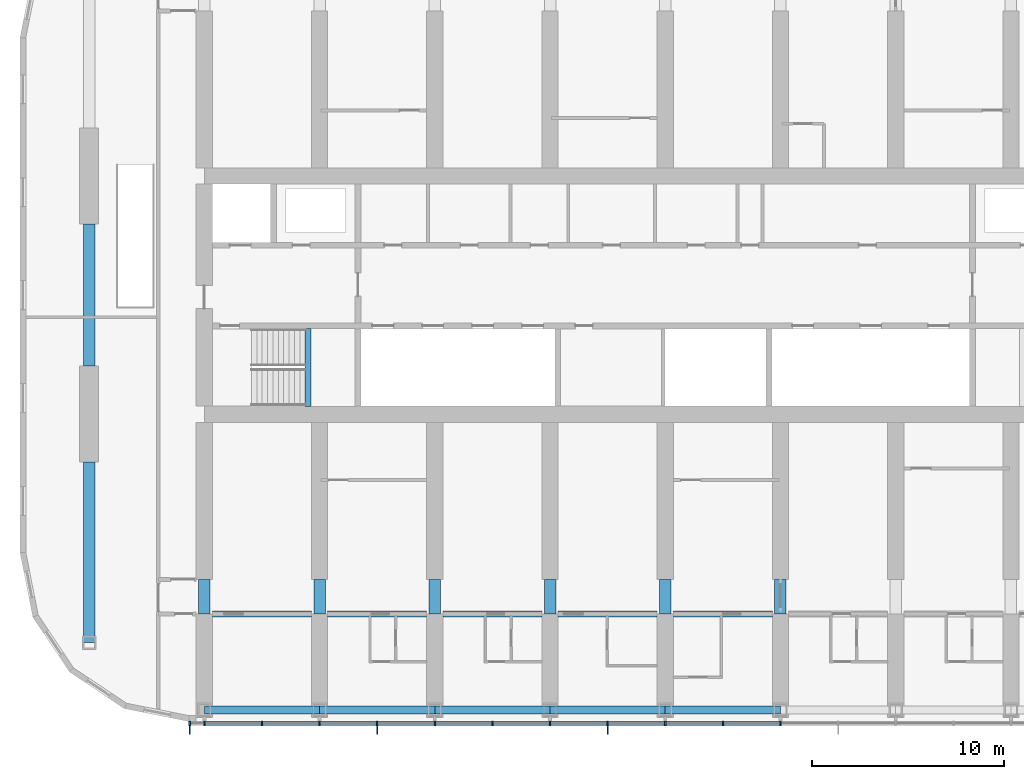
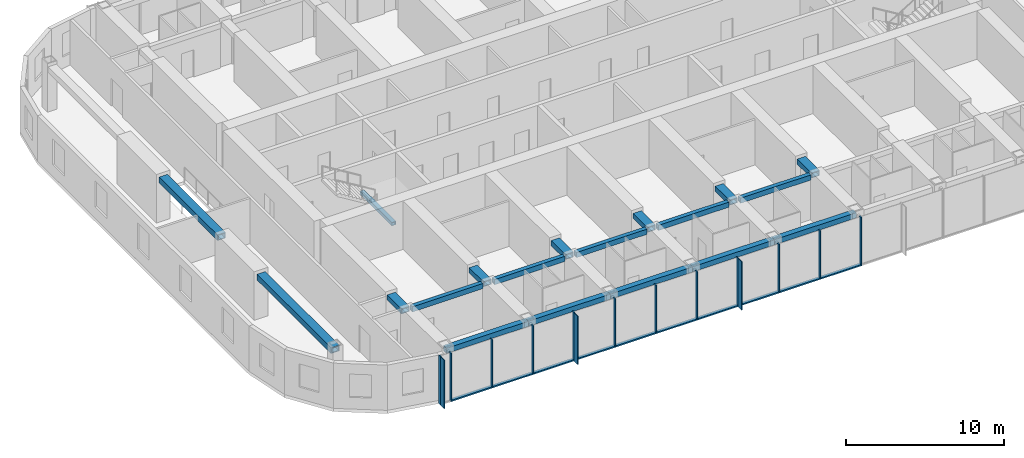
# One storey, part 2 of 22: 25 members, 19 beams, 1 element without a shape of its own.
"""IFC4 building model written with IfcOpenShell, lengths in metres."""

from ifc_helpers import new_model, si_unit, direction, frame, origin, origin_2d, place, context, subcontext, project, spatial, rectangle, hollow_rectangle, extrude, material, material_profile, profile_set, type_object, element, aggregate, save


model = new_model("IFC4")

# Units and contexts
model_context = context("Model", 3, precision=1e-05, world=origin(), true_north=direction((0.0, 1.0)))
body_context = subcontext(model_context, "Body", "Model", "MODEL_VIEW")
ifc_project = project(units=[si_unit("LENGTHUNIT", "METRE"), si_unit("AREAUNIT", "SQUARE_METRE"), si_unit("VOLUMEUNIT", "CUBIC_METRE"), si_unit("PLANEANGLEUNIT", "RADIAN"), si_unit("MASSUNIT", "GRAM", prefix="KILO")], contexts=[model_context])

# Site, building, storey
site_placement = place(None, origin())
site = spatial("IfcSite", under=ifc_project, at=site_placement, CompositionType="ELEMENT")
building_placement = place(site_placement, origin())
building = spatial("IfcBuilding", under=site, at=building_placement, Name="Orbita Commons", CompositionType="ELEMENT")
storey_placement = place(building_placement, frame((0.0, 0.0, 182.35009765625)))
storey = spatial("IfcBuildingStorey", under=building, at=storey_placement, Name="L45", CompositionType="ELEMENT", Elevation=182.35009765625)

# Curtain wall, members
ifc_material_1 = material(Name="Anodised aluminium frame, pale silver", Category="aluminium")
curtain_wall_type = type_object("IfcCurtainWallType", Name="Unitised curtain wall CW-U, full-height vision", PredefinedType="NOTDEFINED", material=ifc_material_1)
curtain_wall_placement = place(storey_placement, origin())
curtain_wall = element("IfcCurtainWall", 1, at=curtain_wall_placement, inside=storey, type_object=curtain_wall_type, Name="Curtain wall south L45", PredefinedType="NOTDEFINED")
ifc_material_2 = material(Name="Anodised aluminium, pale silver", Category="aluminium")
ifc_material_profile_1 = material_profile(ifc_material_2, rectangle(XDim=0.080078125, YDim=0.219970703125, at=origin_2d()), Name="AL 80x220")
ifc_profile_set_1 = profile_set([ifc_material_profile_1], Name="Anodised aluminium, pale silver")
member_type_1 = type_object("IfcMemberType", Name="Curtain wall mullion 80x220", PredefinedType="MULLION", material=ifc_profile_set_1)
member_1_placement = place(storey_placement, frame((17.239990234375, 9.68994140625, -0.25), z_axis=(0.0, 0.0, 1.0), x_axis=(1.0, 0.0, 0.0)))
member_1 = element("IfcMember", 2, at=member_1_placement, type_object=member_type_1, Name="Mullion 1 CW-L45-S", PredefinedType="MULLION", context=body_context, shape_type="SweptSolid", body=[
    extrude(rectangle(XDim=0.080078125, YDim=0.219970703125, at=origin_2d()), origin(), (0.0, 0.0, 1.0), 3.75),
])
member_2_placement = place(storey_placement, frame((18.0, 9.68994140625, -0.25), z_axis=(0.0, 0.0, 1.0), x_axis=(1.0, 0.0, 0.0)))
member_2 = element("IfcMember", 3, at=member_2_placement, type_object=member_type_1, Name="Mullion 2 CW-L45-S", PredefinedType="MULLION", context=body_context, shape_type="SweptSolid", body=[
    extrude(rectangle(XDim=0.080078125, YDim=0.219970703125, at=origin_2d()), origin(), (0.0, 0.0, 1.0), 3.75),
])
member_3_placement = place(storey_placement, frame((21.0, 9.68994140625, -0.25), z_axis=(0.0, 0.0, 1.0), x_axis=(1.0, 0.0, 0.0)))
member_3 = element("IfcMember", 4, at=member_3_placement, type_object=member_type_1, Name="Mullion 3 CW-L45-S", PredefinedType="MULLION", context=body_context, shape_type="SweptSolid", body=[
    extrude(rectangle(XDim=0.080078125, YDim=0.219970703125, at=origin_2d()), origin(), (0.0, 0.0, 1.0), 3.75),
])
member_4_placement = place(storey_placement, frame((24.0, 9.68994140625, -0.25), z_axis=(0.0, 0.0, 1.0), x_axis=(1.0, 0.0, 0.0)))
member_4 = element("IfcMember", 5, at=member_4_placement, type_object=member_type_1, Name="Mullion 4 CW-L45-S", PredefinedType="MULLION", context=body_context, shape_type="SweptSolid", body=[
    extrude(rectangle(XDim=0.080078125, YDim=0.219970703125, at=origin_2d()), origin(), (0.0, 0.0, 1.0), 3.75),
])
member_5_placement = place(storey_placement, frame((27.0, 9.68994140625, -0.25), z_axis=(0.0, 0.0, 1.0), x_axis=(1.0, 0.0, 0.0)))
member_5 = element("IfcMember", 6, at=member_5_placement, type_object=member_type_1, Name="Mullion 5 CW-L45-S", PredefinedType="MULLION", context=body_context, shape_type="SweptSolid", body=[
    extrude(rectangle(XDim=0.080078125, YDim=0.219970703125, at=origin_2d()), origin(), (0.0, 0.0, 1.0), 3.75),
])
member_6_placement = place(storey_placement, frame((30.0, 9.68994140625, -0.25), z_axis=(0.0, 0.0, 1.0), x_axis=(1.0, 0.0, 0.0)))
member_6 = element("IfcMember", 7, at=member_6_placement, type_object=member_type_1, Name="Mullion 6 CW-L45-S", PredefinedType="MULLION", context=body_context, shape_type="SweptSolid", body=[
    extrude(rectangle(XDim=0.080078125, YDim=0.219970703125, at=origin_2d()), origin(), (0.0, 0.0, 1.0), 3.75),
])
member_7_placement = place(storey_placement, frame((33.0, 9.68994140625, -0.25), z_axis=(0.0, 0.0, 1.0), x_axis=(1.0, 0.0, 0.0)))
member_7 = element("IfcMember", 8, at=member_7_placement, type_object=member_type_1, Name="Mullion 7 CW-L45-S", PredefinedType="MULLION", context=body_context, shape_type="SweptSolid", body=[
    extrude(rectangle(XDim=0.080078125, YDim=0.219970703125, at=origin_2d()), origin(), (0.0, 0.0, 1.0), 3.75),
])
member_8_placement = place(storey_placement, frame((36.0, 9.68994140625, -0.25), z_axis=(0.0, 0.0, 1.0), x_axis=(1.0, 0.0, 0.0)))
member_8 = element("IfcMember", 9, at=member_8_placement, type_object=member_type_1, Name="Mullion 8 CW-L45-S", PredefinedType="MULLION", context=body_context, shape_type="SweptSolid", body=[
    extrude(rectangle(XDim=0.080078125, YDim=0.219970703125, at=origin_2d()), origin(), (0.0, 0.0, 1.0), 3.75),
])
member_9_placement = place(storey_placement, frame((39.0, 9.68994140625, -0.25), z_axis=(0.0, 0.0, 1.0), x_axis=(1.0, 0.0, 0.0)))
member_9 = element("IfcMember", 10, at=member_9_placement, type_object=member_type_1, Name="Mullion 9 CW-L45-S", PredefinedType="MULLION", context=body_context, shape_type="SweptSolid", body=[
    extrude(rectangle(XDim=0.080078125, YDim=0.219970703125, at=origin_2d()), origin(), (0.0, 0.0, 1.0), 3.75),
])
member_10_placement = place(storey_placement, frame((42.0, 9.68994140625, -0.25), z_axis=(0.0, 0.0, 1.0), x_axis=(1.0, 0.0, 0.0)))
member_10 = element("IfcMember", 11, at=member_10_placement, type_object=member_type_1, Name="Mullion 10 CW-L45-S", PredefinedType="MULLION", context=body_context, shape_type="SweptSolid", body=[
    extrude(rectangle(XDim=0.080078125, YDim=0.219970703125, at=origin_2d()), origin(), (0.0, 0.0, 1.0), 3.75),
])
member_11_placement = place(storey_placement, frame((45.0, 9.68994140625, -0.25), z_axis=(0.0, 0.0, 1.0), x_axis=(1.0, 0.0, 0.0)))
member_11 = element("IfcMember", 12, at=member_11_placement, type_object=member_type_1, Name="Mullion 11 CW-L45-S", PredefinedType="MULLION", context=body_context, shape_type="SweptSolid", body=[
    extrude(rectangle(XDim=0.080078125, YDim=0.219970703125, at=origin_2d()), origin(), (0.0, 0.0, 1.0), 3.75),
])
member_12_placement = place(storey_placement, frame((48.0, 9.68994140625, -0.25), z_axis=(0.0, 0.0, 1.0), x_axis=(1.0, 0.0, 0.0)))
member_12 = element("IfcMember", 13, at=member_12_placement, type_object=member_type_1, Name="Mullion 12 CW-L45-S", PredefinedType="MULLION", context=body_context, shape_type="SweptSolid", body=[
    extrude(rectangle(XDim=0.080078125, YDim=0.219970703125, at=origin_2d()), origin(), (0.0, 0.0, 1.0), 3.75),
])
ifc_material_3 = material(Name="Anodised aluminium, pale silver", Category="aluminium")
ifc_material_profile_2 = material_profile(ifc_material_3, rectangle(XDim=0.219970703125, YDim=0.10009765625, at=origin_2d()), Name="AL 220x100")
ifc_profile_set_2 = profile_set([ifc_material_profile_2], Name="Anodised aluminium, pale silver")
member_type_2 = type_object("IfcMemberType", Name="Curtain wall stack transom 220x100", PredefinedType="USERDEFINED", material=ifc_profile_set_2)
member_13_placement = place(storey_placement, frame((18.0400390625, 9.68994140625, -0.2001953125), z_axis=(1.0, 0.0, 0.0), x_axis=(0.0, 1.0, 0.0)))
member_13 = element("IfcMember", 14, at=member_13_placement, type_object=member_type_2, Name="Transom 2.1 CW-L45-S", ObjectType="TRANSOM", PredefinedType="USERDEFINED", context=body_context, shape_type="SweptSolid", body=[
    extrude(rectangle(XDim=0.219970703125, YDim=0.10009765625, at=origin_2d()), origin(), (0.0, 0.0, 1.0), 2.919921875),
])
member_14_placement = place(storey_placement, frame((21.0400390625, 9.68994140625, -0.2001953125), z_axis=(1.0, 0.0, 0.0), x_axis=(0.0, 1.0, 0.0)))
member_14 = element("IfcMember", 15, at=member_14_placement, type_object=member_type_2, Name="Transom 3.1 CW-L45-S", ObjectType="TRANSOM", PredefinedType="USERDEFINED", context=body_context, shape_type="SweptSolid", body=[
    extrude(rectangle(XDim=0.219970703125, YDim=0.10009765625, at=origin_2d()), origin(), (0.0, 0.0, 1.0), 2.919921875),
])
member_15_placement = place(storey_placement, frame((24.0400390625, 9.68994140625, -0.2001953125), z_axis=(1.0, 0.0, 0.0), x_axis=(0.0, 1.0, 0.0)))
member_15 = element("IfcMember", 16, at=member_15_placement, type_object=member_type_2, Name="Transom 4.1 CW-L45-S", ObjectType="TRANSOM", PredefinedType="USERDEFINED", context=body_context, shape_type="SweptSolid", body=[
    extrude(rectangle(XDim=0.219970703125, YDim=0.10009765625, at=origin_2d()), origin(), (0.0, 0.0, 1.0), 2.919921875),
])
member_16_placement = place(storey_placement, frame((27.0400390625, 9.68994140625, -0.2001953125), z_axis=(1.0, 0.0, 0.0), x_axis=(0.0, 1.0, 0.0)))
member_16 = element("IfcMember", 17, at=member_16_placement, type_object=member_type_2, Name="Transom 5.1 CW-L45-S", ObjectType="TRANSOM", PredefinedType="USERDEFINED", context=body_context, shape_type="SweptSolid", body=[
    extrude(rectangle(XDim=0.219970703125, YDim=0.10009765625, at=origin_2d()), origin(), (0.0, 0.0, 1.0), 2.919921875),
])
member_17_placement = place(storey_placement, frame((30.0400390625, 9.68994140625, -0.2001953125), z_axis=(1.0, 0.0, 0.0), x_axis=(0.0, 1.0, 0.0)))
member_17 = element("IfcMember", 18, at=member_17_placement, type_object=member_type_2, Name="Transom 6.1 CW-L45-S", ObjectType="TRANSOM", PredefinedType="USERDEFINED", context=body_context, shape_type="SweptSolid", body=[
    extrude(rectangle(XDim=0.219970703125, YDim=0.10009765625, at=origin_2d()), origin(), (0.0, 0.0, 1.0), 2.919921875),
])
member_18_placement = place(storey_placement, frame((33.0400390625, 9.68994140625, -0.2001953125), z_axis=(1.0, 0.0, 0.0), x_axis=(0.0, 1.0, 0.0)))
member_18 = element("IfcMember", 19, at=member_18_placement, type_object=member_type_2, Name="Transom 7.1 CW-L45-S", ObjectType="TRANSOM", PredefinedType="USERDEFINED", context=body_context, shape_type="SweptSolid", body=[
    extrude(rectangle(XDim=0.219970703125, YDim=0.10009765625, at=origin_2d()), origin(), (0.0, 0.0, 1.0), 2.919921875),
])
member_19_placement = place(storey_placement, frame((36.0400390625, 9.68994140625, -0.2001953125), z_axis=(1.0, 0.0, 0.0), x_axis=(0.0, 1.0, 0.0)))
member_19 = element("IfcMember", 20, at=member_19_placement, type_object=member_type_2, Name="Transom 8.1 CW-L45-S", ObjectType="TRANSOM", PredefinedType="USERDEFINED", context=body_context, shape_type="SweptSolid", body=[
    extrude(rectangle(XDim=0.219970703125, YDim=0.10009765625, at=origin_2d()), origin(), (0.0, 0.0, 1.0), 2.919921875),
])
member_20_placement = place(storey_placement, frame((39.0400390625, 9.68994140625, -0.2001953125), z_axis=(1.0, 0.0, 0.0), x_axis=(0.0, 1.0, 0.0)))
member_20 = element("IfcMember", 21, at=member_20_placement, type_object=member_type_2, Name="Transom 9.1 CW-L45-S", ObjectType="TRANSOM", PredefinedType="USERDEFINED", context=body_context, shape_type="SweptSolid", body=[
    extrude(rectangle(XDim=0.219970703125, YDim=0.10009765625, at=origin_2d()), origin(), (0.0, 0.0, 1.0), 2.919921875),
])
member_21_placement = place(storey_placement, frame((42.0400390625, 9.68994140625, -0.2001953125), z_axis=(1.0, 0.0, 0.0), x_axis=(0.0, 1.0, 0.0)))
member_21 = element("IfcMember", 22, at=member_21_placement, type_object=member_type_2, Name="Transom 10.1 CW-L45-S", ObjectType="TRANSOM", PredefinedType="USERDEFINED", context=body_context, shape_type="SweptSolid", body=[
    extrude(rectangle(XDim=0.219970703125, YDim=0.10009765625, at=origin_2d()), origin(), (0.0, 0.0, 1.0), 2.919921875),
])
member_22_placement = place(storey_placement, frame((45.0400390625, 9.68994140625, -0.2001953125), z_axis=(1.0, 0.0, 0.0), x_axis=(0.0, 1.0, 0.0)))
member_22 = element("IfcMember", 23, at=member_22_placement, type_object=member_type_2, Name="Transom 11.1 CW-L45-S", ObjectType="TRANSOM", PredefinedType="USERDEFINED", context=body_context, shape_type="SweptSolid", body=[
    extrude(rectangle(XDim=0.219970703125, YDim=0.10009765625, at=origin_2d()), origin(), (0.0, 0.0, 1.0), 2.919921875),
])

# Beams
ifc_material_4 = material(Name="Steel ASTM A572 Gr 50 welded plate", Category="steel")
ifc_material_profile_3 = material_profile(ifc_material_4, hollow_rectangle(XDim=0.300048828125, YDim=0.25, WallThickness=0.02490234375, at=origin_2d()), Name="BOX 250x300x25")
ifc_profile_set_3 = profile_set([ifc_material_profile_3], Name="Steel ASTM A572 Gr 50 welded plate")
beam_type_1 = type_object("IfcBeamType", Name="Stair landing beam steel BOX 250x300x25", PredefinedType="BEAM", material=ifc_profile_set_3)
beam_1_placement = place(storey_placement, frame((23.39990234375, 26.2099609375, 1.5498046875), z_axis=(0.0, 1.0, 0.0), x_axis=(-1.0, 0.0, 0.0)))
element("IfcBeam", 24, at=beam_1_placement, inside=storey, type_object=beam_type_1, Name="Stair S1 landing beam L45 1", PredefinedType="BEAM", context=body_context, shape_type="SweptSolid", body=[
    extrude(hollow_rectangle(XDim=0.300048828125, YDim=0.25, WallThickness=0.02490234375, at=origin_2d()), origin(), (0.0, 0.0, 1.0), 4.054931640625),
])
ifc_material_5 = material(Name="Steel ASTM A572 Gr 50 welded plate", Category="steel")
ifc_material_profile_4 = material_profile(ifc_material_5, hollow_rectangle(XDim=0.300048828125, YDim=0.39990234375, WallThickness=0.0400390625, at=origin_2d()), Name="BOX 400x300x40")
ifc_profile_set_4 = profile_set([ifc_material_profile_4], Name="Steel ASTM A572 Gr 50 welded plate")
beam_type_2 = type_object("IfcBeamType", Name="Steel corridor link BOX 400x300x40", PredefinedType="BEAM", material=ifc_profile_set_4)
for number, where, z_axis, x_axis, name in (
    (25, (18.425048828125, 15.39990234375, 3.2998046875), (1.0, 0.0, 0.0), (0.0, 1.0, 0.0), "Corridor beam SA 4-5 L45"),
    (26, (24.425048828125, 15.39990234375, 3.2998046875), (1.0, 0.0, 0.0), (0.0, 1.0, 0.0), "Corridor beam SA 5-6 L45"),
    (27, (30.425048828125, 15.39990234375, 3.2998046875), (1.0, 0.0, 0.0), (0.0, 1.0, 0.0), "Corridor beam SA 6-7 L45"),
    (28, (36.425048828125, 15.39990234375, 3.2998046875), (1.0, 0.0, 0.0), (0.0, 1.0, 0.0), "Corridor beam SA 7-8 L45"),
    (29, (42.425048828125, 15.39990234375, 3.2998046875), (1.0, 0.0, 0.0), (0.0, 1.0, 0.0), "Corridor beam SA 8-9 L45"),
):
    element("IfcBeam", number, at=place(storey_placement, frame(where, z_axis=z_axis, x_axis=x_axis)), inside=storey, type_object=beam_type_2, Name=name, PredefinedType="BEAM", context=body_context, shape_type="SweptSolid", body=[
        extrude(hollow_rectangle(XDim=0.300048828125, YDim=0.39990234375, WallThickness=0.0400390625, at=origin_2d()), origin(), (0.0, 0.0, 1.0), 5.14990234375),
    ])
ifc_material_6 = material(Name="Steel ASTM A572 Gr 50 welded plate", Category="steel")
ifc_material_profile_5 = material_profile(ifc_material_6, hollow_rectangle(XDim=0.60009765625, YDim=0.39990234375, WallThickness=0.050048828125, at=origin_2d()), Name="BOX 400x600x50")
ifc_profile_set_5 = profile_set([ifc_material_profile_5], Name="Steel ASTM A572 Gr 50 welded plate")
beam_type_3 = type_object("IfcBeamType", Name="Steel coupling link BOX 400x600x50", PredefinedType="LINTEL", material=ifc_profile_set_5)
for number, where, z_axis, x_axis, name in (
    (30, (18.0, 15.39990234375, 3.2998046875), (0.0, 1.0, 0.0), (-1.0, 0.0, 0.0), "Coupling beam 4 south L45"),
    (31, (24.0, 15.39990234375, 3.2998046875), (0.0, 1.0, 0.0), (-1.0, 0.0, 0.0), "Coupling beam 5 south L45"),
    (32, (30.0, 15.39990234375, 3.2998046875), (0.0, 1.0, 0.0), (-1.0, 0.0, 0.0), "Coupling beam 6 south L45"),
    (33, (36.0, 15.39990234375, 3.2998046875), (0.0, 1.0, 0.0), (-1.0, 0.0, 0.0), "Coupling beam 7 south L45"),
    (34, (42.0, 15.39990234375, 3.2998046875), (0.0, 1.0, 0.0), (-1.0, 0.0, 0.0), "Coupling beam 8 south L45"),
    (35, (48.0, 15.39990234375, 3.2998046875), (0.0, 1.0, 0.0), (-1.0, 0.0, 0.0), "Coupling beam 9 south L45"),
):
    element("IfcBeam", number, at=place(storey_placement, frame(where, z_axis=z_axis, x_axis=x_axis)), inside=storey, type_object=beam_type_3, Name=name, PredefinedType="LINTEL", context=body_context, shape_type="SweptSolid", body=[
        extrude(hollow_rectangle(XDim=0.60009765625, YDim=0.39990234375, WallThickness=0.050048828125, at=origin_2d()), origin(), (0.0, 0.0, 1.0), 1.800048828125),
    ])
ifc_material_7 = material(Name="Steel ASTM A572 Gr 50 welded plate", Category="steel")
ifc_material_profile_6 = material_profile(ifc_material_7, hollow_rectangle(XDim=0.60009765625, YDim=0.449951171875, WallThickness=0.06005859375, at=origin_2d()), Name="BOX 450x600x60")
ifc_profile_set_6 = profile_set([ifc_material_profile_6], Name="Steel ASTM A572 Gr 50 welded plate")
beam_type_4 = type_object("IfcBeamType", Name="Steel end frame link BOX 450x600x60", PredefinedType="BEAM", material=ifc_profile_set_6)
beam_2_placement = place(storey_placement, frame((12.0, 13.89990234375, 3.27490234375), z_axis=(0.0, 1.0, 0.0), x_axis=(-1.0, 0.0, 0.0)))
element("IfcBeam", 36, at=beam_2_placement, inside=storey, type_object=beam_type_4, Name="End frame beam 3 B-C L45", PredefinedType="BEAM", context=body_context, shape_type="SweptSolid", body=[
    extrude(hollow_rectangle(XDim=0.60009765625, YDim=0.449951171875, WallThickness=0.06005859375, at=origin_2d()), origin(), (0.0, 0.0, 1.0), 9.400146484375),
])
beam_3_placement = place(storey_placement, frame((12.0, 28.300048828125, 3.27490234375), z_axis=(0.0, 1.0, 0.0), x_axis=(-1.0, 0.0, 0.0)))
element("IfcBeam", 37, at=beam_3_placement, inside=storey, type_object=beam_type_4, Name="End frame beam 3 C-D L45", PredefinedType="BEAM", context=body_context, shape_type="SweptSolid", body=[
    extrude(hollow_rectangle(XDim=0.60009765625, YDim=0.449951171875, WallThickness=0.06005859375, at=origin_2d()), origin(), (0.0, 0.0, 1.0), 7.39990234375),
])
ifc_material_8 = material(Name="Steel ASTM A572 Gr 50 welded plate", Category="steel")
ifc_material_profile_7 = material_profile(ifc_material_8, hollow_rectangle(XDim=0.39990234375, YDim=0.39990234375, WallThickness=0.0400390625, at=origin_2d()), Name="BOX 400x400x40")
ifc_profile_set_7 = profile_set([ifc_material_profile_7], Name="Steel ASTM A572 Gr 50 welded plate")
beam_type_5 = type_object("IfcBeamType", Name="Steel spandrel BOX 400x400x40", PredefinedType="SPANDREL", material=ifc_profile_set_7)
for number, where, z_axis, x_axis, name in (
    (38, (18.0, 10.39990234375, 3.2998046875), (1.0, 0.0, 0.0), (0.0, 1.0, 0.0), "Spandrel beam B 4-5 L45"),
    (39, (24.0, 10.39990234375, 3.2998046875), (1.0, 0.0, 0.0), (0.0, 1.0, 0.0), "Spandrel beam B 5-6 L45"),
    (40, (30.0, 10.39990234375, 3.2998046875), (1.0, 0.0, 0.0), (0.0, 1.0, 0.0), "Spandrel beam B 6-7 L45"),
    (41, (36.0, 10.39990234375, 3.2998046875), (1.0, 0.0, 0.0), (0.0, 1.0, 0.0), "Spandrel beam B 7-8 L45"),
    (42, (42.0, 10.39990234375, 3.2998046875), (1.0, 0.0, 0.0), (0.0, 1.0, 0.0), "Spandrel beam B 8-9 L45"),
):
    element("IfcBeam", number, at=place(storey_placement, frame(where, z_axis=z_axis, x_axis=x_axis)), inside=storey, type_object=beam_type_5, Name=name, PredefinedType="SPANDREL", context=body_context, shape_type="SweptSolid", body=[
        extrude(hollow_rectangle(XDim=0.39990234375, YDim=0.39990234375, WallThickness=0.0400390625, at=origin_2d()), origin(), (0.0, 0.0, 1.0), 6.0),
    ])

# Member
ifc_material_9 = material(Name="Anodised aluminium, pale silver", Category="aluminium")
ifc_material_profile_8 = material_profile(ifc_material_9, rectangle(XDim=0.06005859375, YDim=0.449951171875, at=origin_2d()), Name="FIN 60x450")
ifc_profile_set_8 = profile_set([ifc_material_profile_8], Name="Anodised aluminium, pale silver")
member_type_3 = type_object("IfcMemberType", Name="Vertical fin 60x450 pale aluminium", PredefinedType="USERDEFINED", material=ifc_profile_set_8)
member_23_placement = place(storey_placement, frame((17.239990234375, 9.35498046875, -0.25), z_axis=(0.0, 0.0, 1.0), x_axis=(1.0, 0.0, 0.0)))
member_23 = element("IfcMember", 43, at=member_23_placement, type_object=member_type_3, Name="Fin 1 CW-L45-S", ObjectType="FIN", PredefinedType="USERDEFINED", context=body_context, shape_type="SweptSolid", body=[
    extrude(rectangle(XDim=0.06005859375, YDim=0.449951171875, at=origin_2d()), origin(), (0.0, 0.0, 1.0), 3.75),
])

member_24_placement = place(storey_placement, frame((27.0, 9.35498046875, -0.25), z_axis=(0.0, 0.0, 1.0), x_axis=(1.0, 0.0, 0.0)))
member_24 = element("IfcMember", 44, at=member_24_placement, type_object=member_type_3, Name="Fin 5 CW-L45-S", ObjectType="FIN", PredefinedType="USERDEFINED", context=body_context, shape_type="SweptSolid", body=[
    extrude(rectangle(XDim=0.06005859375, YDim=0.449951171875, at=origin_2d()), origin(), (0.0, 0.0, 1.0), 3.75),
])

member_25_placement = place(storey_placement, frame((39.0, 9.35498046875, -0.25), z_axis=(0.0, 0.0, 1.0), x_axis=(1.0, 0.0, 0.0)))
member_25 = element("IfcMember", 45, at=member_25_placement, type_object=member_type_3, Name="Fin 9 CW-L45-S", ObjectType="FIN", PredefinedType="USERDEFINED", context=body_context, shape_type="SweptSolid", body=[
    extrude(rectangle(XDim=0.06005859375, YDim=0.449951171875, at=origin_2d()), origin(), (0.0, 0.0, 1.0), 3.75),
])

aggregate(curtain_wall, [member_1, member_23, member_2, member_3, member_4, member_5, member_24, member_6, member_7, member_8, member_9, member_25, member_10, member_11, member_12, member_13, member_14, member_15, member_16, member_17, member_18, member_19, member_20, member_21, member_22])

save(model, "model.ifc")
